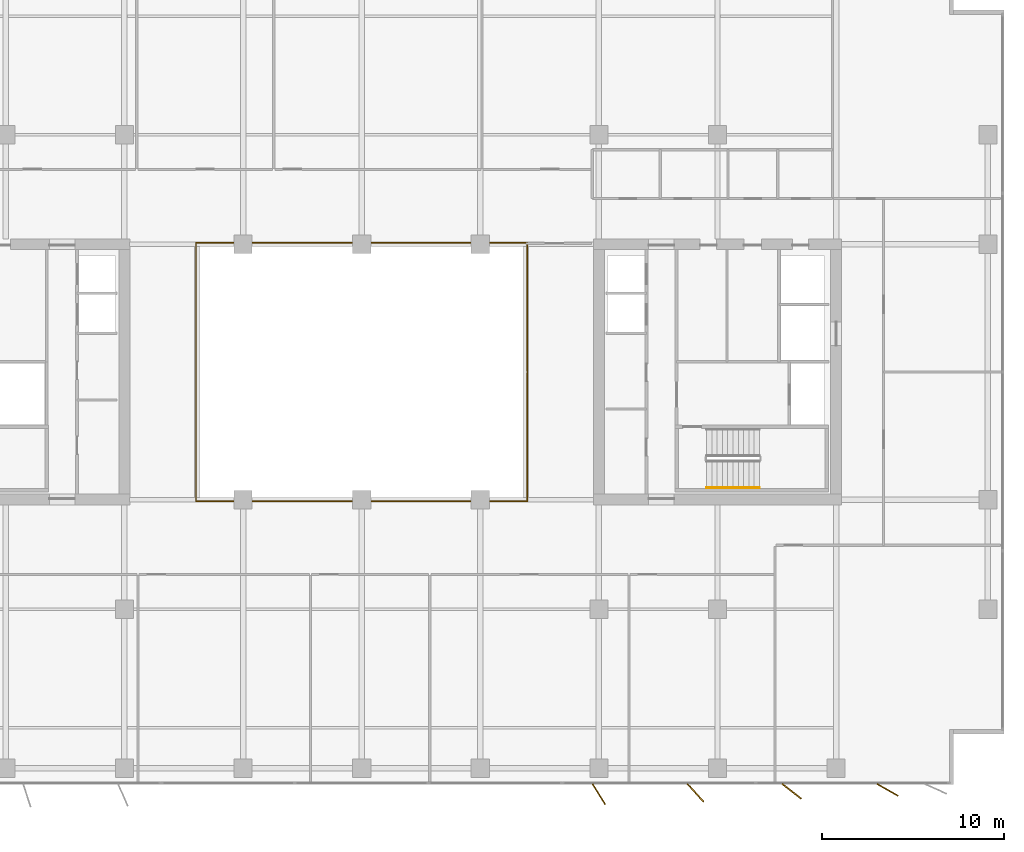
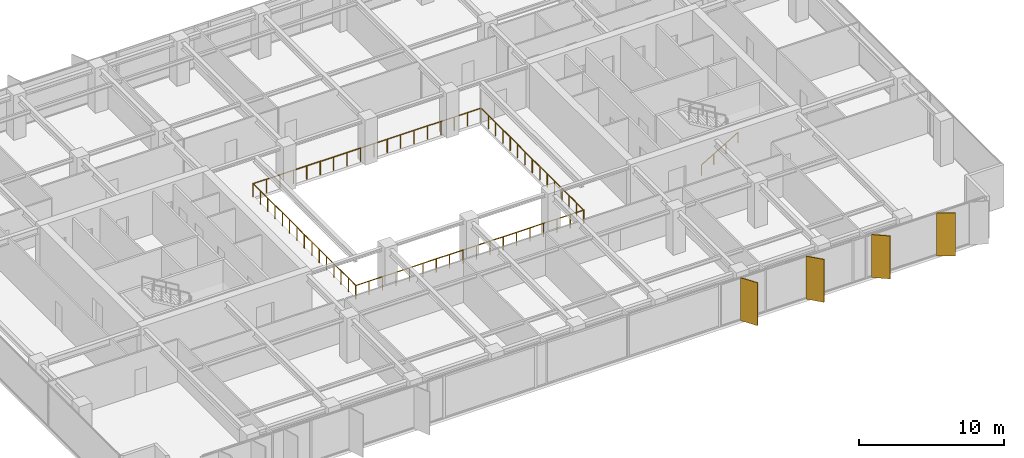
# One storey, part 20 of 22: 4 shading devices, 3 railings.
"""IFC4 building model written with IfcOpenShell, lengths in metres."""

import ifcopenshell
import ifcopenshell.guid

model = None  # the IFC model being written
_history = None  # IfcOwnerHistory: only IFC2X3 demands one
_inside = {}  # id of a spatial element -> (the spatial element, [elements in it])
_under = {}  # id of a project, library or spatial element -> (it, [spatial elements below it])
_declared = {}  # id of a project -> (the project, [libraries it declares])
_typed = {}  # id of a type object -> (the type object, [elements of that type])
_made_of = {}  # id of a material, layer set ... -> (it, [elements and type objects made of it])


def new_model(schema):
    """Start an empty IFC model of exactly this schema.

    Asked for "IFC4X3", IfcOpenShell would pick the latest addendum, in which some entities
    have other attributes; the version numbers below select the first issue.
    IFC2X3 requires an IfcOwnerHistory on every rooted entity: one is made here for all.
    """
    global model, _history
    if schema == "IFC4X3":
        model = ifcopenshell.file(schema_version=(4, 3, 0, 0))
    else:
        model = ifcopenshell.file(schema=schema)
    _inside.clear()
    _under.clear()
    _declared.clear()
    _typed.clear()
    _made_of.clear()
    _history = None
    if model.schema == "IFC2X3":
        org = make("IfcOrganization", Name="unknown")
        user = make(
            "IfcPersonAndOrganization",
            ThePerson=make("IfcPerson", FamilyName="unknown"),
            TheOrganization=org,
        )
        app = make(
            "IfcApplication",
            ApplicationDeveloper=org,
            Version="unknown",
            ApplicationFullName="unknown",
            ApplicationIdentifier="unknown",
        )
        _history = make(
            "IfcOwnerHistory",
            OwningUser=user,
            OwningApplication=app,
            ChangeAction="ADDED",
            CreationDate=0,
        )
    return model


def make(cls, **values):
    """One entity of the class cls with the attributes given. An attribute that is None is left unset."""
    return model.create_entity(
        cls, **{name: value for name, value in values.items() if value is not None}
    )


def rooted(cls, **values):
    """An entity with a GlobalId (a new one), such as an element, a storey or a relation."""
    return make(cls, GlobalId=ifcopenshell.guid.new(), OwnerHistory=_history, **values)


def si_unit(unit_type, name, prefix=None):
    """IfcSIUnit, for example si_unit("LENGTHUNIT", "METRE", prefix="MILLI")."""
    return make("IfcSIUnit", UnitType=unit_type, Prefix=prefix, Name=name)


def assignment(units):
    """IfcUnitAssignment: the units of a project."""
    return None if units is None else make("IfcUnitAssignment", Units=units)


def point(xyz):
    """IfcCartesianPoint."""
    return None if xyz is None else make("IfcCartesianPoint", Coordinates=xyz)


def direction(xyz):
    """IfcDirection."""
    return None if xyz is None else make("IfcDirection", DirectionRatios=xyz)


def frame(location, z_axis=None, x_axis=None):
    """IfcAxis2Placement3D, a coordinate frame: its origin and axes. An axis left out is left unset."""
    return make(
        "IfcAxis2Placement3D",
        Location=point(location),
        Axis=direction(z_axis),
        RefDirection=direction(x_axis),
    )


def frame_2d(location, x_axis=None):
    """IfcAxis2Placement2D, a coordinate frame in the plane: its origin and x axis."""
    return make(
        "IfcAxis2Placement2D", Location=point(location), RefDirection=direction(x_axis)
    )


def origin():
    """The frame at (0, 0, 0) with its axes left unset."""
    return frame((0.0, 0.0, 0.0))


def origin_2d():
    """The frame at (0, 0) in the plane with its x axis left unset."""
    return frame_2d((0.0, 0.0))


def place(relative_to, where):
    """IfcLocalPlacement: puts the frame where relative to a parent placement (None: the world)."""
    return make(
        "IfcLocalPlacement", PlacementRelTo=relative_to, RelativePlacement=where
    )


def context(
    kind, dimensions, precision=None, world=None, true_north=None, identifier=None
):
    """IfcGeometricRepresentationContext, for example the 3D "Model" context."""
    return make(
        "IfcGeometricRepresentationContext",
        ContextIdentifier=identifier,
        ContextType=kind,
        CoordinateSpaceDimension=dimensions,
        Precision=precision,
        WorldCoordinateSystem=world,
        TrueNorth=true_north,
    )


def subcontext(parent, identifier, kind, view, scale=None):
    """IfcGeometricRepresentationSubContext, for example "Body" below "Model"."""
    return make(
        "IfcGeometricRepresentationSubContext",
        ContextIdentifier=identifier,
        ContextType=kind,
        ParentContext=parent,
        TargetScale=scale,
        TargetView=view,
    )


def project(units=None, contexts=None):
    """IfcProject with its units and contexts."""
    return rooted(
        "IfcProject",
        Name="project",
        RepresentationContexts=contexts,
        UnitsInContext=assignment(units),
    )


def spatial(cls, under=None, at=None, **own):
    """A site, building, storey or space (cls), placed at a placement, below another one or the project."""
    s = rooted(cls, ObjectPlacement=at, **own)
    if under is not None:
        _under.setdefault(under.id(), (under, []))[1].append(s)
    return s


def profile(cls, at=None, kind="AREA", **sizes):
    """A parametric profile (cls). Its sizes go by their IFC names, for example OverallWidth=200.0."""
    return make(cls, ProfileType=kind, Position=at, **sizes)


def rectangle(**sizes):
    """IfcRectangleProfileDef."""
    return profile("IfcRectangleProfileDef", **sizes)


def circle(**sizes):
    """IfcCircleProfileDef."""
    return profile("IfcCircleProfileDef", **sizes)


def extrude(swept, where, along, depth):
    """IfcExtrudedAreaSolid: the profile swept, set in the frame where, extruded along a direction by depth."""
    return make(
        "IfcExtrudedAreaSolid",
        SweptArea=swept,
        Position=where,
        ExtrudedDirection=direction(along),
        Depth=depth,
    )


def shape(context_of_items, identifier, shape_type, items):
    """IfcShapeRepresentation: the items that make up one representation, for example the "Body"."""
    return make(
        "IfcShapeRepresentation",
        ContextOfItems=context_of_items,
        RepresentationIdentifier=identifier,
        RepresentationType=shape_type,
        Items=items,
    )


def material(Name=None, Category=None):
    """IfcMaterial."""
    return make("IfcMaterial", Name=Name, Category=Category)


def layer(
    of_material, thickness, ventilated=None, Name=None, Category=None, Priority=None
):
    """IfcMaterialLayer: one layer of a wall or slab, of a material (None: an air gap)."""
    return make(
        "IfcMaterialLayer",
        Material=of_material,
        LayerThickness=thickness,
        IsVentilated=ventilated,
        Name=Name,
        Category=Category,
        Priority=Priority,
    )


def layer_set(layers, Name=None):
    """IfcMaterialLayerSet."""
    return make("IfcMaterialLayerSet", MaterialLayers=layers, LayerSetName=Name)


def made_of(thing, what):
    """Note that an element or type object is made of a material, layer set ...; save() writes the relation."""
    if what is not None:
        _made_of.setdefault(what.id(), (what, []))[1].append(thing)
    return thing


def type_object(cls, material=None, **own):
    """A type object (cls), such as IfcWallType, which elements share."""
    return made_of(rooted(cls, **own), material)


def element(
    cls,
    number,
    at=None,
    inside=None,
    cuts=None,
    type_object=None,
    material=None,
    context=None,
    identifier="Body",
    shape_type=None,
    held_by="IfcProductDefinitionShape",
    body=None,
    shapes=None,
    **own,
):
    """One element of the class cls, such as IfcWall. Its Tag is "e" and its number.

    at: its placement. inside: the storey or other place that contains it. cuts: it is an
    opening in that element (IfcRelVoidsElement). A single representation is given by context,
    identifier, shape_type and body (its items); several are given by shapes. held_by: the class
    of the entity that holds the representations. save() writes the other relations.
    """
    e = rooted(cls, Tag="e%d" % number, ObjectPlacement=at, **own)
    if body is not None:
        shapes = [shape(context, identifier, shape_type, body)]
    if shapes is not None:
        e.Representation = make(held_by, Representations=shapes)
    if inside is not None:
        _inside.setdefault(inside.id(), (inside, []))[1].append(e)
    if cuts is not None:
        rooted(
            "IfcRelVoidsElement", RelatingBuildingElement=cuts, RelatedOpeningElement=e
        )
    if type_object is not None:
        _typed.setdefault(type_object.id(), (type_object, []))[1].append(e)
    return made_of(e, material)


def aggregate(whole, parts):
    """IfcRelAggregates: a whole, such as a stair, and the parts it consists of."""
    return rooted("IfcRelAggregates", RelatingObject=whole, RelatedObjects=parts)


def save(model, path):
    """Write the relations noted so far, then the file.

    IfcRelAggregates (storeys below a building ...), IfcRelContainedInSpatialStructure (elements
    in a storey), IfcRelDefinesByType, IfcRelAssociatesMaterial and IfcRelDeclares: one each for
    every whole, place, type object, material and project.
    """
    for whole, parts in _under.values():
        aggregate(whole, parts)
    for where, things in _inside.values():
        rooted(
            "IfcRelContainedInSpatialStructure",
            RelatedElements=things,
            RelatingStructure=where,
        )
    for kind, things in _typed.values():
        rooted("IfcRelDefinesByType", RelatedObjects=things, RelatingType=kind)
    for what, things in _made_of.values():
        rooted("IfcRelAssociatesMaterial", RelatedObjects=things, RelatingMaterial=what)
    for by, libraries in _declared.values():
        rooted("IfcRelDeclares", RelatingContext=by, RelatedDefinitions=libraries)
    model.write(path)


model = new_model("IFC4")

# Units and contexts
model_context = context("Model", 3, precision=1e-05, world=origin(), true_north=direction((0.0, 1.0)))
body_context = subcontext(model_context, "Body", "Model", "MODEL_VIEW")
ifc_project = project(units=[si_unit("LENGTHUNIT", "METRE"), si_unit("AREAUNIT", "SQUARE_METRE"), si_unit("VOLUMEUNIT", "CUBIC_METRE"), si_unit("PLANEANGLEUNIT", "RADIAN"), si_unit("MASSUNIT", "GRAM", prefix="KILO")], contexts=[model_context])

# Site, building, storey
site_placement = place(None, origin())
site = spatial("IfcSite", under=ifc_project, at=site_placement, CompositionType="ELEMENT")
building_placement = place(site_placement, origin())
building = spatial("IfcBuilding", under=site, at=building_placement, Name="Putna Gate Headquarters", CompositionType="ELEMENT")
storey_placement = place(building_placement, frame((0.0, 0.0, 163.199951171875)))
storey = spatial("IfcBuildingStorey", under=building, at=storey_placement, Name="L40", CompositionType="ELEMENT", Elevation=163.199951171875)

# Railings
ifc_material_1 = material(Name="Anodised bronze and laminated glass atrium balustrade", Category="glass")
railing_type_1 = type_object("IfcRailingType", Name="RAIL-ATRIUM-GUARD-1150", PredefinedType="GUARDRAIL", material=ifc_material_1)
railing_1_placement = place(storey_placement, frame((29.919921875, 25.969970703125, 0.0)))
element("IfcRailing", 1, at=railing_1_placement, inside=storey, type_object=railing_type_1, Name="L40 Central Atrium Glazed Balustrade South", PredefinedType="GUARDRAIL", context=body_context, shape_type="SweptSolid", body=[
    extrude(circle(Radius=0.02392578125, at=origin_2d()), frame((0.0, 0.0, 1.1259765625), z_axis=(0.0, -1.0, 0.0), x_axis=(1.0, 0.0, 0.0)), (0.0, 0.0, 1.0), 7.050048828125),
    extrude(circle(Radius=0.02392578125, at=origin_2d()), frame((0.0, -7.050048828125, 1.1259765625), z_axis=(1.0, 0.0, 0.0), x_axis=(0.0, 1.0, 0.0)), (0.0, 0.0, 1.0), 18.16015625),
    extrude(circle(Radius=0.02392578125, at=origin_2d()), frame((18.16015625, -7.050048828125, 1.1259765625), z_axis=(0.0, 1.0, 0.0), x_axis=(-1.0, 0.0, 0.0)), (0.0, 0.0, 1.0), 7.050048828125),
    extrude(circle(Radius=0.02099609375, at=origin_2d()), origin(), (0.0, 0.0, 1.0), 1.101806640625),
    extrude(circle(Radius=0.02099609375, at=origin_2d()), frame((0.0, -1.007080078125, 0.0)), (0.0, 0.0, 1.0), 1.101806640625),
    extrude(circle(Radius=0.02099609375, at=origin_2d()), frame((0.0, -2.014404296875, 0.0)), (0.0, 0.0, 1.0), 1.101806640625),
    extrude(circle(Radius=0.02099609375, at=origin_2d()), frame((0.0, -3.021484375, 0.0)), (0.0, 0.0, 1.0), 1.101806640625),
    extrude(circle(Radius=0.02099609375, at=origin_2d()), frame((0.0, -4.028564453125, 0.0)), (0.0, 0.0, 1.0), 1.101806640625),
    extrude(circle(Radius=0.02099609375, at=origin_2d()), frame((0.0, -5.03564453125, 0.0)), (0.0, 0.0, 1.0), 1.101806640625),
    extrude(circle(Radius=0.02099609375, at=origin_2d()), frame((0.0, -6.04296875, 0.0)), (0.0, 0.0, 1.0), 1.101806640625),
    extrude(circle(Radius=0.02099609375, at=origin_2d()), frame((0.0, -7.050048828125, 0.0)), (0.0, 0.0, 1.0), 1.101806640625),
    extrude(circle(Radius=0.02099609375, at=origin_2d()), frame((1.068359375, -7.050048828125, 0.0)), (0.0, 0.0, 1.0), 1.101806640625),
    extrude(circle(Radius=0.02099609375, at=origin_2d()), frame((2.136474609375, -7.050048828125, 0.0)), (0.0, 0.0, 1.0), 1.101806640625),
    extrude(circle(Radius=0.02099609375, at=origin_2d()), frame((3.204833984375, -7.050048828125, 0.0)), (0.0, 0.0, 1.0), 1.101806640625),
    extrude(circle(Radius=0.02099609375, at=origin_2d()), frame((4.27294921875, -7.050048828125, 0.0)), (0.0, 0.0, 1.0), 1.101806640625),
    extrude(circle(Radius=0.02099609375, at=origin_2d()), frame((5.34130859375, -7.050048828125, 0.0)), (0.0, 0.0, 1.0), 1.101806640625),
    extrude(circle(Radius=0.02099609375, at=origin_2d()), frame((6.409423828125, -7.050048828125, 0.0)), (0.0, 0.0, 1.0), 1.101806640625),
    extrude(circle(Radius=0.02099609375, at=origin_2d()), frame((7.477783203125, -7.050048828125, 0.0)), (0.0, 0.0, 1.0), 1.101806640625),
    extrude(circle(Radius=0.02099609375, at=origin_2d()), frame((8.5458984375, -7.050048828125, 0.0)), (0.0, 0.0, 1.0), 1.101806640625),
    extrude(circle(Radius=0.02099609375, at=origin_2d()), frame((9.6142578125, -7.050048828125, 0.0)), (0.0, 0.0, 1.0), 1.101806640625),
    extrude(circle(Radius=0.02099609375, at=origin_2d()), frame((10.682373046875, -7.050048828125, 0.0)), (0.0, 0.0, 1.0), 1.101806640625),
    extrude(circle(Radius=0.02099609375, at=origin_2d()), frame((11.750732421875, -7.050048828125, 0.0)), (0.0, 0.0, 1.0), 1.101806640625),
    extrude(circle(Radius=0.02099609375, at=origin_2d()), frame((12.81884765625, -7.050048828125, 0.0)), (0.0, 0.0, 1.0), 1.101806640625),
    extrude(circle(Radius=0.02099609375, at=origin_2d()), frame((13.88720703125, -7.050048828125, 0.0)), (0.0, 0.0, 1.0), 1.101806640625),
    extrude(circle(Radius=0.02099609375, at=origin_2d()), frame((14.955322265625, -7.050048828125, 0.0)), (0.0, 0.0, 1.0), 1.101806640625),
    extrude(circle(Radius=0.02099609375, at=origin_2d()), frame((16.023681640625, -7.050048828125, 0.0)), (0.0, 0.0, 1.0), 1.101806640625),
    extrude(circle(Radius=0.02099609375, at=origin_2d()), frame((17.091796875, -7.050048828125, 0.0)), (0.0, 0.0, 1.0), 1.101806640625),
    extrude(circle(Radius=0.02099609375, at=origin_2d()), frame((18.16015625, -7.050048828125, 0.0)), (0.0, 0.0, 1.0), 1.101806640625),
    extrude(circle(Radius=0.02099609375, at=origin_2d()), frame((18.16015625, -6.04296875, 0.0)), (0.0, 0.0, 1.0), 1.101806640625),
    extrude(circle(Radius=0.02099609375, at=origin_2d()), frame((18.16015625, -5.03564453125, 0.0)), (0.0, 0.0, 1.0), 1.101806640625),
    extrude(circle(Radius=0.02099609375, at=origin_2d()), frame((18.16015625, -4.028564453125, 0.0)), (0.0, 0.0, 1.0), 1.101806640625),
    extrude(circle(Radius=0.02099609375, at=origin_2d()), frame((18.16015625, -3.021484375, 0.0)), (0.0, 0.0, 1.0), 1.101806640625),
    extrude(circle(Radius=0.02099609375, at=origin_2d()), frame((18.16015625, -2.014404296875, 0.0)), (0.0, 0.0, 1.0), 1.101806640625),
    extrude(circle(Radius=0.02099609375, at=origin_2d()), frame((18.16015625, -1.007080078125, 0.0)), (0.0, 0.0, 1.0), 1.101806640625),
    extrude(circle(Radius=0.02099609375, at=origin_2d()), frame((18.16015625, 0.0, 0.0)), (0.0, 0.0, 1.0), 1.101806640625),
])
railing_2_placement = place(storey_placement, frame((48.080078125, 26.030029296875, 0.0)))
element("IfcRailing", 2, at=railing_2_placement, inside=storey, type_object=railing_type_1, Name="L40 Central Atrium Glazed Balustrade North", PredefinedType="GUARDRAIL", context=body_context, shape_type="SweptSolid", body=[
    extrude(circle(Radius=0.02392578125, at=origin_2d()), frame((0.0, 0.0, 1.1259765625), z_axis=(0.0, 1.0, 0.0), x_axis=(-1.0, 0.0, 0.0)), (0.0, 0.0, 1.0), 7.050048828125),
    extrude(circle(Radius=0.02392578125, at=origin_2d()), frame((0.0, 7.050048828125, 1.1259765625), z_axis=(-1.0, 0.0, 0.0), x_axis=(0.0, -1.0, 0.0)), (0.0, 0.0, 1.0), 18.16015625),
    extrude(circle(Radius=0.02392578125, at=origin_2d()), frame((-18.16015625, 7.050048828125, 1.1259765625), z_axis=(0.0, -1.0, 0.0), x_axis=(1.0, 0.0, 0.0)), (0.0, 0.0, 1.0), 7.050048828125),
    extrude(circle(Radius=0.02099609375, at=origin_2d()), origin(), (0.0, 0.0, 1.0), 1.101806640625),
    extrude(circle(Radius=0.02099609375, at=origin_2d()), frame((0.0, 1.007080078125, 0.0)), (0.0, 0.0, 1.0), 1.101806640625),
    extrude(circle(Radius=0.02099609375, at=origin_2d()), frame((0.0, 2.014404296875, 0.0)), (0.0, 0.0, 1.0), 1.101806640625),
    extrude(circle(Radius=0.02099609375, at=origin_2d()), frame((0.0, 3.021484375, 0.0)), (0.0, 0.0, 1.0), 1.101806640625),
    extrude(circle(Radius=0.02099609375, at=origin_2d()), frame((0.0, 4.028564453125, 0.0)), (0.0, 0.0, 1.0), 1.101806640625),
    extrude(circle(Radius=0.02099609375, at=origin_2d()), frame((0.0, 5.03564453125, 0.0)), (0.0, 0.0, 1.0), 1.101806640625),
    extrude(circle(Radius=0.02099609375, at=origin_2d()), frame((0.0, 6.04296875, 0.0)), (0.0, 0.0, 1.0), 1.101806640625),
    extrude(circle(Radius=0.02099609375, at=origin_2d()), frame((0.0, 7.050048828125, 0.0)), (0.0, 0.0, 1.0), 1.101806640625),
    extrude(circle(Radius=0.02099609375, at=origin_2d()), frame((-1.068359375, 7.050048828125, 0.0)), (0.0, 0.0, 1.0), 1.101806640625),
    extrude(circle(Radius=0.02099609375, at=origin_2d()), frame((-2.136474609375, 7.050048828125, 0.0)), (0.0, 0.0, 1.0), 1.101806640625),
    extrude(circle(Radius=0.02099609375, at=origin_2d()), frame((-3.204833984375, 7.050048828125, 0.0)), (0.0, 0.0, 1.0), 1.101806640625),
    extrude(circle(Radius=0.02099609375, at=origin_2d()), frame((-4.27294921875, 7.050048828125, 0.0)), (0.0, 0.0, 1.0), 1.101806640625),
    extrude(circle(Radius=0.02099609375, at=origin_2d()), frame((-5.34130859375, 7.050048828125, 0.0)), (0.0, 0.0, 1.0), 1.101806640625),
    extrude(circle(Radius=0.02099609375, at=origin_2d()), frame((-6.409423828125, 7.050048828125, 0.0)), (0.0, 0.0, 1.0), 1.101806640625),
    extrude(circle(Radius=0.02099609375, at=origin_2d()), frame((-7.477783203125, 7.050048828125, 0.0)), (0.0, 0.0, 1.0), 1.101806640625),
    extrude(circle(Radius=0.02099609375, at=origin_2d()), frame((-8.5458984375, 7.050048828125, 0.0)), (0.0, 0.0, 1.0), 1.101806640625),
    extrude(circle(Radius=0.02099609375, at=origin_2d()), frame((-9.6142578125, 7.050048828125, 0.0)), (0.0, 0.0, 1.0), 1.101806640625),
    extrude(circle(Radius=0.02099609375, at=origin_2d()), frame((-10.682373046875, 7.050048828125, 0.0)), (0.0, 0.0, 1.0), 1.101806640625),
    extrude(circle(Radius=0.02099609375, at=origin_2d()), frame((-11.750732421875, 7.050048828125, 0.0)), (0.0, 0.0, 1.0), 1.101806640625),
    extrude(circle(Radius=0.02099609375, at=origin_2d()), frame((-12.81884765625, 7.050048828125, 0.0)), (0.0, 0.0, 1.0), 1.101806640625),
    extrude(circle(Radius=0.02099609375, at=origin_2d()), frame((-13.88720703125, 7.050048828125, 0.0)), (0.0, 0.0, 1.0), 1.101806640625),
    extrude(circle(Radius=0.02099609375, at=origin_2d()), frame((-14.955322265625, 7.050048828125, 0.0)), (0.0, 0.0, 1.0), 1.101806640625),
    extrude(circle(Radius=0.02099609375, at=origin_2d()), frame((-16.023681640625, 7.050048828125, 0.0)), (0.0, 0.0, 1.0), 1.101806640625),
    extrude(circle(Radius=0.02099609375, at=origin_2d()), frame((-17.091796875, 7.050048828125, 0.0)), (0.0, 0.0, 1.0), 1.101806640625),
    extrude(circle(Radius=0.02099609375, at=origin_2d()), frame((-18.16015625, 7.050048828125, 0.0)), (0.0, 0.0, 1.0), 1.101806640625),
    extrude(circle(Radius=0.02099609375, at=origin_2d()), frame((-18.16015625, 6.04296875, 0.0)), (0.0, 0.0, 1.0), 1.101806640625),
    extrude(circle(Radius=0.02099609375, at=origin_2d()), frame((-18.16015625, 5.03564453125, 0.0)), (0.0, 0.0, 1.0), 1.101806640625),
    extrude(circle(Radius=0.02099609375, at=origin_2d()), frame((-18.16015625, 4.028564453125, 0.0)), (0.0, 0.0, 1.0), 1.101806640625),
    extrude(circle(Radius=0.02099609375, at=origin_2d()), frame((-18.16015625, 3.021484375, 0.0)), (0.0, 0.0, 1.0), 1.101806640625),
    extrude(circle(Radius=0.02099609375, at=origin_2d()), frame((-18.16015625, 2.014404296875, 0.0)), (0.0, 0.0, 1.0), 1.101806640625),
    extrude(circle(Radius=0.02099609375, at=origin_2d()), frame((-18.16015625, 1.007080078125, 0.0)), (0.0, 0.0, 1.0), 1.101806640625),
    extrude(circle(Radius=0.02099609375, at=origin_2d()), frame((-18.16015625, 0.0, 0.0)), (0.0, 0.0, 1.0), 1.101806640625),
])
ifc_material_2 = material(Name="Brushed stainless steel handrail", Category="steel")
railing_type_2 = type_object("IfcRailingType", Name="RAIL-STAIR-HAND-900", PredefinedType="HANDRAIL", material=ifc_material_2)
railing_3_placement = place(storey_placement, frame((57.89990234375, 19.64990234375, 0.1728515625)))
element("IfcRailing", 3, at=railing_3_placement, inside=storey, type_object=railing_type_2, Name="L40 ST2 stair handrail 1", PredefinedType="HANDRAIL", context=body_context, shape_type="SweptSolid", body=[
    extrude(circle(Radius=0.02392578125, at=origin_2d()), frame((0.0, 0.0, 0.8759765625), z_axis=(0.859160404282, 0.0, 0.51170636083), x_axis=(0.0, 1.0, 0.0)), (0.0, 0.0, 1.0), 3.37548828125),
    extrude(circle(Radius=0.02099609375, at=origin_2d()), origin(), (0.0, 0.0, 1.0), 0.851806640625),
    extrude(circle(Radius=0.02099609375, at=origin_2d()), frame((0.966796875, 0.0, 0.57568359375)), (0.0, 0.0, 1.0), 0.851806640625),
    extrude(circle(Radius=0.02099609375, at=origin_2d()), frame((1.933349609375, 0.0, 1.151611328125)), (0.0, 0.0, 1.0), 0.851806640625),
    extrude(circle(Radius=0.02099609375, at=origin_2d()), frame((2.900146484375, 0.0, 1.727294921875)), (0.0, 0.0, 1.0), 0.851806640625),
])

# Shading devices
ifc_material_3 = material(Name="Anodised architectural bronze aluminium fin", Category="aluminium")
ifc_layer = layer(ifc_material_3, 0.06494140625)
ifc_layer_set = layer_set([ifc_layer], Name="Anodised architectural bronze aluminium fin")
shading_device_type = type_object("IfcShadingDeviceType", Name="SHADE-BRONZE-FIN-1320", PredefinedType="USERDEFINED", material=ifc_layer_set)
for number, where, z_axis, x_axis, name in (
    (4, (52.000244140625, 2.865478515625, -0.02001953125), (0.0, 0.0, 1.0), (0.530659123936, -0.847585331506, 0.0), "L40 Bronze Vertical Shading Fin S7"),
    (5, (57.29150390625, 2.9345703125, -0.02001953125), (0.0, 0.0, 1.0), (0.669130606359, -0.743144825477, 0.0), "L40 Bronze Vertical Shading Fin S8"),
    (6, (62.569580078125, 3.018310546875, -0.02001953125), (0.0, 0.0, 1.0), (0.787473187632, -0.616348909921, 0.0), "L40 Bronze Vertical Shading Fin S9"),
    (7, (67.82373046875, 3.098876953125, -0.02001953125), (0.0, 0.0, 1.0), (0.869322458298, -0.494245347472, 0.0), "L40 Bronze Vertical Shading Fin S10"),
):
    element("IfcShadingDevice", number, at=place(storey_placement, frame(where, z_axis=z_axis, x_axis=x_axis)), inside=storey, type_object=shading_device_type, Name=name, ObjectType="FIN", PredefinedType="USERDEFINED", context=body_context, shape_type="SweptSolid", body=[
        extrude(rectangle(XDim=1.320068359375, YDim=0.06494140625, at=origin_2d()), origin(), (0.0, 0.0, 1.0), 3.612060546875),
    ])

save(model, "model.ifc")
